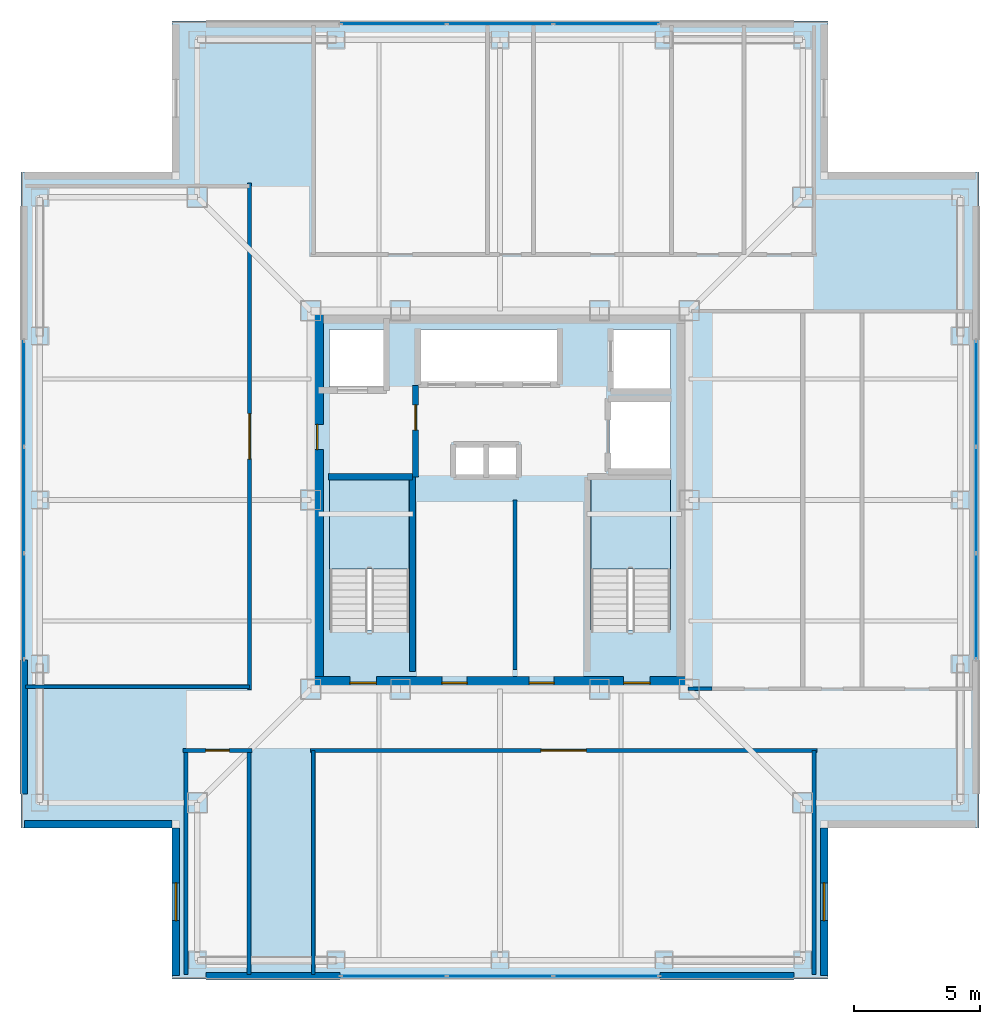
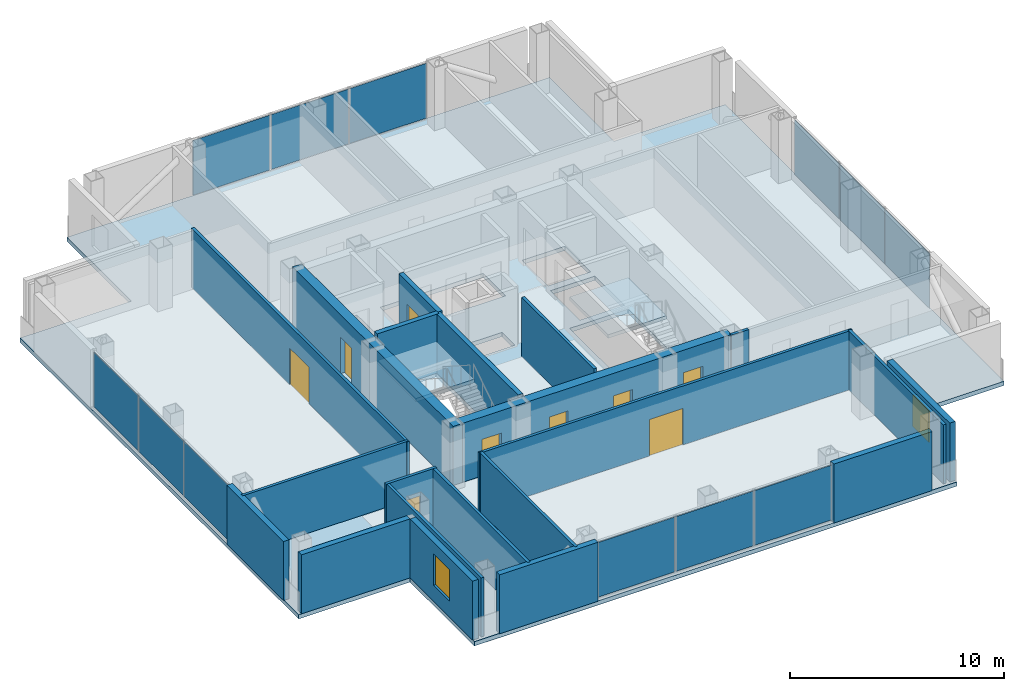
# One storey, part 8 of 16: 21 walls, 12 plates, 9 doors, 3 slabs, 2 windows, 11 openings, 6 elements without a shape of their own.
"""IFC4 building model written with IfcOpenShell, lengths in metres."""

from ifc_helpers import new_model, si_unit, direction, frame, frame_2d, origin, origin_2d, place, context, subcontext, project, spatial, polyline, rectangle, outline, extrude, material, layer, layer_set, type_object, element, fill, aggregate, save


model = new_model("IFC4")

# Units and contexts
model_context = context("Model", 3, precision=1e-05, world=origin(), true_north=direction((0.0, 1.0)))
body_context = subcontext(model_context, "Body", "Model", "MODEL_VIEW")
ifc_project = project(units=[si_unit("LENGTHUNIT", "METRE"), si_unit("AREAUNIT", "SQUARE_METRE"), si_unit("VOLUMEUNIT", "CUBIC_METRE"), si_unit("PLANEANGLEUNIT", "RADIAN"), si_unit("MASSUNIT", "GRAM", prefix="KILO")], contexts=[model_context])

# Site, building, storey
site_placement = place(None, origin())
site = spatial("IfcSite", under=ifc_project, at=site_placement, CompositionType="ELEMENT")
building_placement = place(site_placement, origin())
building = spatial("IfcBuilding", under=site, at=building_placement, Name="Trevonay Congress Spire", CompositionType="ELEMENT")
storey_placement = place(building_placement, frame((0.0, 0.0, 246.800048828125)))
storey = spatial("IfcBuildingStorey", under=building, at=storey_placement, Name="L64", CompositionType="ELEMENT", Elevation=246.800048828125)

# Curtain wall, plates
ifc_material_1 = material(Name="Pale Anodised Aluminium EN AW-6063-T6", Category="aluminium")
ifc_layer_1 = layer(ifc_material_1, 0.1650390625, Name="Pale Anodised Aluminium EN AW-6063-T6")
ifc_layer_set_1 = layer_set([ifc_layer_1], Name="Pale Anodised Aluminium EN AW-6063-T6")
curtain_wall_type = type_object("IfcCurtainWallType", Name="CW-SYS05-DIPLOM-PALE-METAL", PredefinedType="NOTDEFINED", material=ifc_layer_set_1)
curtain_wall_1_placement = place(storey_placement, origin())
curtain_wall_1 = element("IfcCurtainWall", 1, at=curtain_wall_1_placement, inside=storey, type_object=curtain_wall_type, Name="L64 S unitised curtain wall", PredefinedType="NOTDEFINED")
ifc_material_2 = material(Name="Insulated Low-E Vision Glass IGU", Category="glass")
ifc_layer_2 = layer(ifc_material_2, 0.035888671875, Name="Insulated Low-E Vision Glass IGU")
ifc_layer_set_2 = layer_set([ifc_layer_2], Name="Insulated Low-E Vision Glass IGU")
plate_type = type_object("IfcPlateType", Name="CW-PANEL-IGU36-SILVER", PredefinedType="CURTAIN_PANEL", material=ifc_layer_set_2)
plate_1_placement = place(storey_placement, frame((-4.21826171875, -18.8798828125, 0.119873046875), z_axis=(0.0, 0.0, 1.0), x_axis=(1.0, 0.0, 0.0)))
plate_1 = element("IfcPlate", 2, at=plate_1_placement, type_object=plate_type, Name="CW05 panel 1.1", PredefinedType="CURTAIN_PANEL", context=body_context, shape_type="SweptSolid", body=[
    extrude(rectangle(XDim=4.143310546875, YDim=0.035888671875, at=origin_2d()), origin(), (0.0, 0.0, 1.0), 3.1201171875),
])
plate_2_placement = place(storey_placement, frame((0.0, -18.8798828125, 0.119873046875), z_axis=(0.0, 0.0, 1.0), x_axis=(1.0, 0.0, 0.0)))
plate_2 = element("IfcPlate", 3, at=plate_2_placement, type_object=plate_type, Name="CW05 panel 2.1", PredefinedType="CURTAIN_PANEL", context=body_context, shape_type="SweptSolid", body=[
    extrude(rectangle(XDim=4.17333984375, YDim=0.035888671875, at=origin_2d()), origin(), (0.0, 0.0, 1.0), 3.1201171875),
])
plate_3_placement = place(storey_placement, frame((4.21826171875, -18.8798828125, 0.119873046875), z_axis=(0.0, 0.0, 1.0), x_axis=(1.0, 0.0, 0.0)))
plate_3 = element("IfcPlate", 4, at=plate_3_placement, type_object=plate_type, Name="CW05 panel 3.1", PredefinedType="CURTAIN_PANEL", context=body_context, shape_type="SweptSolid", body=[
    extrude(rectangle(XDim=4.143310546875, YDim=0.035888671875, at=origin_2d()), origin(), (0.0, 0.0, 1.0), 3.1201171875),
])
aggregate(curtain_wall_1, [plate_1, plate_2, plate_3])

curtain_wall_2_placement = place(storey_placement, origin())
curtain_wall_2 = element("IfcCurtainWall", 5, at=curtain_wall_2_placement, inside=storey, type_object=curtain_wall_type, Name="L64 N unitised curtain wall", PredefinedType="NOTDEFINED")
plate_4_placement = place(storey_placement, frame((-4.21826171875, 18.8798828125, 0.119873046875), z_axis=(0.0, 0.0, 1.0), x_axis=(1.0, 0.0, 0.0)))
plate_4 = element("IfcPlate", 6, at=plate_4_placement, type_object=plate_type, Name="CW05 panel 1.1", PredefinedType="CURTAIN_PANEL", context=body_context, shape_type="SweptSolid", body=[
    extrude(rectangle(XDim=4.143310546875, YDim=0.035888671875, at=origin_2d()), origin(), (0.0, 0.0, 1.0), 3.1201171875),
])
plate_5_placement = place(storey_placement, frame((0.0, 18.8798828125, 0.119873046875), z_axis=(0.0, 0.0, 1.0), x_axis=(1.0, 0.0, 0.0)))
plate_5 = element("IfcPlate", 7, at=plate_5_placement, type_object=plate_type, Name="CW05 panel 2.1", PredefinedType="CURTAIN_PANEL", context=body_context, shape_type="SweptSolid", body=[
    extrude(rectangle(XDim=4.17333984375, YDim=0.035888671875, at=origin_2d()), origin(), (0.0, 0.0, 1.0), 3.1201171875),
])
plate_6_placement = place(storey_placement, frame((4.21826171875, 18.8798828125, 0.119873046875), z_axis=(0.0, 0.0, 1.0), x_axis=(1.0, 0.0, 0.0)))
plate_6 = element("IfcPlate", 8, at=plate_6_placement, type_object=plate_type, Name="CW05 panel 3.1", PredefinedType="CURTAIN_PANEL", context=body_context, shape_type="SweptSolid", body=[
    extrude(rectangle(XDim=4.143310546875, YDim=0.035888671875, at=origin_2d()), origin(), (0.0, 0.0, 1.0), 3.1201171875),
])
aggregate(curtain_wall_2, [plate_4, plate_5, plate_6])

curtain_wall_3_placement = place(storey_placement, origin())
curtain_wall_3 = element("IfcCurtainWall", 9, at=curtain_wall_3_placement, inside=storey, type_object=curtain_wall_type, Name="L64 W unitised curtain wall", PredefinedType="NOTDEFINED")
plate_7_placement = place(storey_placement, frame((-18.8798828125, -4.21826171875, 0.119873046875), z_axis=(0.0, 0.0, 1.0), x_axis=(0.0, 1.0, 0.0)))
plate_7 = element("IfcPlate", 10, at=plate_7_placement, type_object=plate_type, Name="CW05 panel 1.1", PredefinedType="CURTAIN_PANEL", context=body_context, shape_type="SweptSolid", body=[
    extrude(rectangle(XDim=4.143310546875, YDim=0.035888671875, at=origin_2d()), origin(), (0.0, 0.0, 1.0), 3.1201171875),
])
plate_8_placement = place(storey_placement, frame((-18.8798828125, 0.0, 0.119873046875), z_axis=(0.0, 0.0, 1.0), x_axis=(0.0, 1.0, 0.0)))
plate_8 = element("IfcPlate", 11, at=plate_8_placement, type_object=plate_type, Name="CW05 panel 2.1", PredefinedType="CURTAIN_PANEL", context=body_context, shape_type="SweptSolid", body=[
    extrude(rectangle(XDim=4.17333984375, YDim=0.035888671875, at=origin_2d()), origin(), (0.0, 0.0, 1.0), 3.1201171875),
])
plate_9_placement = place(storey_placement, frame((-18.8798828125, 4.21826171875, 0.119873046875), z_axis=(0.0, 0.0, 1.0), x_axis=(0.0, 1.0, 0.0)))
plate_9 = element("IfcPlate", 12, at=plate_9_placement, type_object=plate_type, Name="CW05 panel 3.1", PredefinedType="CURTAIN_PANEL", context=body_context, shape_type="SweptSolid", body=[
    extrude(rectangle(XDim=4.143310546875, YDim=0.035888671875, at=origin_2d()), origin(), (0.0, 0.0, 1.0), 3.1201171875),
])
aggregate(curtain_wall_3, [plate_7, plate_8, plate_9])

curtain_wall_4_placement = place(storey_placement, origin())
curtain_wall_4 = element("IfcCurtainWall", 13, at=curtain_wall_4_placement, inside=storey, type_object=curtain_wall_type, Name="L64 E unitised curtain wall", PredefinedType="NOTDEFINED")
plate_10_placement = place(storey_placement, frame((18.8798828125, -4.21826171875, 0.119873046875), z_axis=(0.0, 0.0, 1.0), x_axis=(0.0, 1.0, 0.0)))
plate_10 = element("IfcPlate", 14, at=plate_10_placement, type_object=plate_type, Name="CW05 panel 1.1", PredefinedType="CURTAIN_PANEL", context=body_context, shape_type="SweptSolid", body=[
    extrude(rectangle(XDim=4.143310546875, YDim=0.035888671875, at=origin_2d()), origin(), (0.0, 0.0, 1.0), 3.1201171875),
])
plate_11_placement = place(storey_placement, frame((18.8798828125, 0.0, 0.119873046875), z_axis=(0.0, 0.0, 1.0), x_axis=(0.0, 1.0, 0.0)))
plate_11 = element("IfcPlate", 15, at=plate_11_placement, type_object=plate_type, Name="CW05 panel 2.1", PredefinedType="CURTAIN_PANEL", context=body_context, shape_type="SweptSolid", body=[
    extrude(rectangle(XDim=4.17333984375, YDim=0.035888671875, at=origin_2d()), origin(), (0.0, 0.0, 1.0), 3.1201171875),
])
plate_12_placement = place(storey_placement, frame((18.8798828125, 4.21826171875, 0.119873046875), z_axis=(0.0, 0.0, 1.0), x_axis=(0.0, 1.0, 0.0)))
plate_12 = element("IfcPlate", 16, at=plate_12_placement, type_object=plate_type, Name="CW05 panel 3.1", PredefinedType="CURTAIN_PANEL", context=body_context, shape_type="SweptSolid", body=[
    extrude(rectangle(XDim=4.143310546875, YDim=0.035888671875, at=origin_2d()), origin(), (0.0, 0.0, 1.0), 3.1201171875),
])
aggregate(curtain_wall_4, [plate_10, plate_11, plate_12])

# Stair, slab
ifc_material_3 = material(Name="Concrete C40/50", Category="concrete")
stair_type_1 = type_object("IfcStairType", Name="STR-ST-1", PredefinedType="HALF_TURN_STAIR", material=ifc_material_3)
stair_1_placement = place(storey_placement, origin())
stair_1 = element("IfcStair", 17, at=stair_1_placement, inside=storey, type_object=stair_type_1, Name="L64 Protected Exit Stair ST-1", PredefinedType="HALF_TURN_STAIR")
ifc_layer_3 = layer(ifc_material_3, 0.199951171875, Name="Concrete C40/50")
ifc_layer_set_3 = layer_set([ifc_layer_3], Name="Concrete C40/50")
slab_type_1 = type_object("IfcSlabType", Name="SLB-STAIR-LAND-200", PredefinedType="LANDING", material=ifc_layer_set_3)
slab_1_placement = place(storey_placement, frame((0.0, 0.0, 1.599853515625)))
slab_1 = element("IfcSlab", 18, at=slab_1_placement, type_object=slab_type_1, Name="ST-1 landing 1", PredefinedType="LANDING", context=body_context, shape_type="SweptSolid", body=[
    extrude(outline(polyline([(-3.60009765625, -2.72998046875), (-3.60009765625, 0.85009765625), (-6.75, 0.85009765625), (-6.75, -2.72998046875), (-3.60009765625, -2.72998046875)])), origin(), (0.0, 0.0, 1.0), 0.2001953125),
])
aggregate(stair_1, [slab_1])

stair_type_2 = type_object("IfcStairType", Name="STR-ST-2", PredefinedType="HALF_TURN_STAIR", material=ifc_material_3)
stair_2_placement = place(storey_placement, origin())
stair_2 = element("IfcStair", 19, at=stair_2_placement, inside=storey, type_object=stair_type_2, Name="L64 Protected Exit Stair ST-2", PredefinedType="HALF_TURN_STAIR")
slab_2_placement = place(storey_placement, frame((0.0, 0.0, 1.599853515625)))
slab_2 = element("IfcSlab", 20, at=slab_2_placement, type_object=slab_type_1, Name="ST-2 landing 1", PredefinedType="LANDING", context=body_context, shape_type="SweptSolid", body=[
    extrude(outline(polyline([(6.75, -2.72998046875), (6.75, 0.85009765625), (3.60009765625, 0.85009765625), (3.60009765625, -2.72998046875), (6.75, -2.72998046875)])), origin(), (0.0, 0.0, 1.0), 0.2001953125),
])
aggregate(stair_2, [slab_2])

# Slab
ifc_layer_4 = layer(ifc_material_3, 0.239990234375, Name="Concrete C40/50")
ifc_layer_set_4 = layer_set([ifc_layer_4], Name="Concrete C40/50")
slab_type_2 = type_object("IfcSlabType", Name="SLB-TOW2-240", PredefinedType="FLOOR", material=ifc_layer_set_4)
slab_3_placement = place(storey_placement, frame((0.0, 0.0, -0.239990234375)))
element("IfcSlab", 21, at=slab_3_placement, inside=storey, type_object=slab_type_2, Name="L64 structural floor slab", PredefinedType="FLOOR", context=body_context, shape_type="SweptSolid", body=[
    extrude(outline(polyline([(-13.0, -19.0), (13.0, -19.0), (13.0, -13.0), (19.0, -13.0), (19.0, 13.0), (13.0, 13.0), (13.0, 19.0), (-13.0, 19.0), (-13.0, 13.0), (-19.0, 13.0), (-19.0, -13.0), (-13.0, -13.0), (-13.0, -19.0)]), holes=[polyline([(-3.60009765625, -5.14990234375), (-3.60009765625, 0.85009765625), (-6.75, 0.85009765625), (-6.75, -5.14990234375), (-3.60009765625, -5.14990234375)]), polyline([(6.75, -5.14990234375), (6.75, 0.85009765625), (3.60009765625, 0.85009765625), (3.60009765625, -5.14990234375), (6.75, -5.14990234375)]), polyline([(-3.199951171875, 4.64990234375), (2.340087890625, 4.64990234375), (2.340087890625, 6.75), (-3.199951171875, 6.75), (-3.199951171875, 4.64990234375)]), polyline([(-6.75, 4.35009765625), (-4.449951171875, 4.35009765625), (-4.449951171875, 6.75), (-6.75, 6.75), (-6.75, 4.35009765625)]), polyline([(4.449951171875, 4.35009765625), (6.75, 4.35009765625), (6.75, 6.75), (4.449951171875, 6.75), (4.449951171875, 4.35009765625)]), polyline([(4.35009765625, 1.199951171875), (6.75, 1.199951171875), (6.75, 3.949951171875), (4.35009765625, 3.949951171875), (4.35009765625, 1.199951171875)]), polyline([(-1.800048828125, 0.949951171875), (0.699951171875, 0.949951171875), (0.699951171875, 2.14990234375), (-1.800048828125, 2.14990234375), (-1.800048828125, 0.949951171875)])]), origin(), (0.0, 0.0, 1.0), 0.239990234375),
])

# Wall, openings, doors
ifc_material_4 = material(Name="Concrete C50/60", Category="concrete")
ifc_layer_5 = layer(ifc_material_4, 0.5, Name="Concrete C50/60")
ifc_layer_set_5 = layer_set([ifc_layer_5], Name="Concrete C50/60")
wall_type_1 = type_object("IfcWallType", Name="WAL-CORE-500", PredefinedType="SHEAR", material=ifc_layer_set_5)
wall_1_placement = place(storey_placement, frame((-7.5, -7.25, 0.0), z_axis=(0.0, 0.0, 1.0), x_axis=(1.0, 0.0, 0.0)))
wall_1 = element("IfcWall", 22, at=wall_1_placement, inside=storey, type_object=wall_type_1, Name="L64 South structural core shear wall", PredefinedType="SHEAR", context=body_context, shape_type="SweptSolid", body=[
    extrude(rectangle(XDim=15.0, YDim=0.5, at=frame_2d((7.5, 0.0))), origin(), (0.0, 0.0, 1.0), 3.35986328125),
])
opening_1_placement = place(wall_1_placement, frame((1.550048828125, 0.0, 0.0)))
opening_1 = element("IfcOpeningElement", 23, at=opening_1_placement, cuts=wall_1, Name="Opening D05", PredefinedType="OPENING", context=body_context, shape_type="SweptSolid", body=[
    extrude(rectangle(XDim=1.050048828125, YDim=2.080078125, at=frame_2d((0.52490234375, 1.0400390625))), frame((0.0, 0.260009765625, 0.0), z_axis=(0.0, -1.0, 0.0), x_axis=(1.0, 0.0, 0.0)), (0.0, 0.0, 1.0), 0.52001953125),
])
opening_2_placement = place(wall_1_placement, frame((12.39990234375, 0.0, 0.0)))
opening_2 = element("IfcOpeningElement", 24, at=opening_2_placement, cuts=wall_1, Name="Opening D05", PredefinedType="OPENING", context=body_context, shape_type="SweptSolid", body=[
    extrude(rectangle(XDim=1.050048828125, YDim=2.080078125, at=frame_2d((0.52490234375, 1.0400390625))), frame((0.0, 0.260009765625, 0.0), z_axis=(0.0, -1.0, 0.0), x_axis=(1.0, 0.0, 0.0)), (0.0, 0.0, 1.0), 0.52001953125),
])
opening_3_placement = place(wall_1_placement, frame((5.199951171875, 0.0, 0.0)))
opening_3 = element("IfcOpeningElement", 25, at=opening_3_placement, cuts=wall_1, Name="Opening D06", PredefinedType="OPENING", context=body_context, shape_type="SweptSolid", body=[
    extrude(rectangle(XDim=1.0, YDim=2.080078125, at=frame_2d((0.5, 1.0400390625))), frame((0.0, 0.260009765625, 0.0), z_axis=(0.0, -1.0, 0.0), x_axis=(1.0, 0.0, 0.0)), (0.0, 0.0, 1.0), 0.52001953125),
])
opening_4_placement = place(wall_1_placement, frame((8.64990234375, 0.0, 0.0)))
opening_4 = element("IfcOpeningElement", 26, at=opening_4_placement, cuts=wall_1, Name="Opening D06", PredefinedType="OPENING", context=body_context, shape_type="SweptSolid", body=[
    extrude(rectangle(XDim=1.0, YDim=2.080078125, at=frame_2d((0.5, 1.0400390625))), frame((0.0, 0.260009765625, 0.0), z_axis=(0.0, -1.0, 0.0), x_axis=(1.0, 0.0, 0.0)), (0.0, 0.0, 1.0), 0.52001953125),
])
ifc_material_5 = material(Name="Steel ASTM A572 Grade 50", Category="steel")
door_type_1 = type_object("IfcDoorType", Name="DOR-FIRE-100", OperationType="NOTDEFINED", PredefinedType="DOOR", material=ifc_material_5)
door_1_placement = place(opening_3_placement, origin())
door_1 = element("IfcDoor", 27, at=door_1_placement, inside=storey, type_object=door_type_1, Name="L64 South Core Room 1 Door", OperationType="SINGLE_SWING_LEFT", OverallHeight=2.080078125, OverallWidth=1.0, PredefinedType="DOOR", context=body_context, shape_type="SweptSolid", body=[
    extrude(rectangle(XDim=1.0, YDim=2.080078125, at=frame_2d((0.5, 1.0400390625))), frame((0.0, 0.02490234375, 0.0), z_axis=(0.0, -1.0, 0.0), x_axis=(1.0, 0.0, 0.0)), (0.0, 0.0, 1.0), 0.050048828125),
])
fill(opening_3, door_1)
door_2_placement = place(opening_4_placement, origin())
door_2 = element("IfcDoor", 28, at=door_2_placement, inside=storey, type_object=door_type_1, Name="L64 South Core Room 2 Door", OperationType="SINGLE_SWING_RIGHT", OverallHeight=2.080078125, OverallWidth=1.0, PredefinedType="DOOR", context=body_context, shape_type="SweptSolid", body=[
    extrude(rectangle(XDim=1.0, YDim=2.080078125, at=frame_2d((0.5, 1.0400390625))), frame((0.0, 0.02490234375, 0.0), z_axis=(0.0, -1.0, 0.0), x_axis=(1.0, 0.0, 0.0)), (0.0, 0.0, 1.0), 0.050048828125),
])
fill(opening_4, door_2)
door_type_2 = type_object("IfcDoorType", Name="DOR-STAIR-110", OperationType="NOTDEFINED", PredefinedType="DOOR", material=ifc_material_5)
door_3_placement = place(opening_1_placement, origin())
door_3 = element("IfcDoor", 29, at=door_3_placement, inside=storey, type_object=door_type_2, Name="L64 Protected Stair ST-1 Door", OperationType="SINGLE_SWING_RIGHT", OverallHeight=2.080078125, OverallWidth=1.050048828125, PredefinedType="DOOR", context=body_context, shape_type="SweptSolid", body=[
    extrude(rectangle(XDim=1.050048828125, YDim=2.080078125, at=frame_2d((0.52490234375, 1.0400390625))), frame((0.0, 0.02490234375, 0.0), z_axis=(0.0, -1.0, 0.0), x_axis=(1.0, 0.0, 0.0)), (0.0, 0.0, 1.0), 0.050048828125),
])
fill(opening_1, door_3)
door_4_placement = place(opening_2_placement, origin())
door_4 = element("IfcDoor", 30, at=door_4_placement, inside=storey, type_object=door_type_2, Name="L64 Protected Stair ST-2 Door", OperationType="SINGLE_SWING_LEFT", OverallHeight=2.080078125, OverallWidth=1.050048828125, PredefinedType="DOOR", context=body_context, shape_type="SweptSolid", body=[
    extrude(rectangle(XDim=1.050048828125, YDim=2.080078125, at=frame_2d((0.52490234375, 1.0400390625))), frame((0.0, 0.02490234375, 0.0), z_axis=(0.0, -1.0, 0.0), x_axis=(1.0, 0.0, 0.0)), (0.0, 0.0, 1.0), 0.050048828125),
])
fill(opening_2, door_4)

# Wall, opening, door
wall_2_placement = place(storey_placement, frame((-7.25, -7.5, 0.0), z_axis=(0.0, 0.0, 1.0), x_axis=(0.0, 1.0, 0.0)))
wall_2 = element("IfcWall", 31, at=wall_2_placement, inside=storey, type_object=wall_type_1, Name="L64 West structural core shear wall", PredefinedType="SHEAR", context=body_context, shape_type="SweptSolid", body=[
    extrude(rectangle(XDim=15.0, YDim=0.5, at=frame_2d((7.5, 0.0))), origin(), (0.0, 0.0, 1.0), 3.35986328125),
])
opening_5_placement = place(wall_2_placement, frame((9.5, 0.0, 0.0)))
opening_5 = element("IfcOpeningElement", 32, at=opening_5_placement, cuts=wall_2, Name="Opening D06", PredefinedType="OPENING", context=body_context, shape_type="SweptSolid", body=[
    extrude(rectangle(XDim=1.0, YDim=2.080078125, at=frame_2d((0.5, 1.0400390625))), frame((0.0, 0.260009765625, 0.0), z_axis=(0.0, -1.0, 0.0), x_axis=(1.0, 0.0, 0.0)), (0.0, 0.0, 1.0), 0.52001953125),
])
door_5_placement = place(opening_5_placement, origin())
door_5 = element("IfcDoor", 33, at=door_5_placement, inside=storey, type_object=door_type_1, Name="L64 Firefighting Lift Lobby West Corridor Door", OperationType="SINGLE_SWING_RIGHT", OverallHeight=2.080078125, OverallWidth=1.0, PredefinedType="DOOR", context=body_context, shape_type="SweptSolid", body=[
    extrude(rectangle(XDim=1.0, YDim=2.080078125, at=frame_2d((0.5, 1.0400390625))), frame((0.0, 0.02490234375, 0.0), z_axis=(0.0, -1.0, 0.0), x_axis=(1.0, 0.0, 0.0)), (0.0, 0.0, 1.0), 0.050048828125),
])
fill(opening_5, door_5)

ifc_layer_6 = layer(ifc_material_3, 0.14990234375, Name="Concrete C40/50")
ifc_layer_set_6 = layer_set([ifc_layer_6], Name="Concrete C40/50")
wall_type_2 = type_object("IfcWallType", Name="WAL-CORR-150", PredefinedType="PARTITIONING", material=ifc_layer_set_6)
wall_3_placement = place(storey_placement, frame((-12.570068359375, -9.929931640625, 0.0), z_axis=(0.0, 0.0, 1.0), x_axis=(1.0, 0.0, 0.0)))
wall_3 = element("IfcWall", 34, at=wall_3_placement, inside=storey, type_object=wall_type_2, Name="L64 interior wall WP-L64SW-COR", PredefinedType="PARTITIONING", context=body_context, shape_type="SweptSolid", body=[
    extrude(rectangle(XDim=2.739990234375, YDim=0.14990234375, at=frame_2d((1.3701171875, 0.0))), origin(), (0.0, 0.0, 1.0), 3.35986328125),
])
opening_6_placement = place(wall_3_placement, frame((0.89501953125, 0.0, 0.0)))
opening_6 = element("IfcOpeningElement", 35, at=opening_6_placement, cuts=wall_3, Name="Opening D07", PredefinedType="OPENING", context=body_context, shape_type="SweptSolid", body=[
    extrude(rectangle(XDim=0.949951171875, YDim=2.06005859375, at=frame_2d((0.47509765625, 1.030029296875))), frame((0.0, 0.0849609375, 0.0), z_axis=(0.0, -1.0, 0.0), x_axis=(1.0, 0.0, 0.0)), (0.0, 0.0, 1.0), 0.169921875),
])
door_type_3 = type_object("IfcDoorType", Name="DOR-OFFICE-95", OperationType="NOTDEFINED", PredefinedType="DOOR", material=ifc_material_1)
door_6_placement = place(opening_6_placement, origin())
door_6 = element("IfcDoor", 36, at=door_6_placement, inside=storey, type_object=door_type_3, Name="L64 Secretary-General Green Room Door", OperationType="SINGLE_SWING_RIGHT", OverallHeight=2.06005859375, OverallWidth=0.949951171875, PredefinedType="DOOR", context=body_context, shape_type="SweptSolid", body=[
    extrude(rectangle(XDim=0.949951171875, YDim=2.06005859375, at=frame_2d((0.47509765625, 1.030029296875))), frame((0.0, 0.02490234375, 0.0), z_axis=(0.0, -1.0, 0.0), x_axis=(1.0, 0.0, 0.0)), (0.0, 0.0, 1.0), 0.050048828125),
])
fill(opening_6, door_6)

wall_4_placement = place(storey_placement, frame((-7.52001953125, -9.929931640625, 0.0), z_axis=(0.0, 0.0, 1.0), x_axis=(1.0, 0.0, 0.0)))
wall_4 = element("IfcWall", 37, at=wall_4_placement, inside=storey, type_object=wall_type_2, Name="L64 interior wall WP-L64SE-COR", PredefinedType="PARTITIONING", context=body_context, shape_type="SweptSolid", body=[
    extrude(rectangle(XDim=20.090087890625, YDim=0.14990234375, at=frame_2d((10.044921875, 0.0))), origin(), (0.0, 0.0, 1.0), 3.35986328125),
])
opening_7_placement = place(wall_4_placement, frame((9.14501953125, 0.0, 0.0)))
opening_7 = element("IfcOpeningElement", 38, at=opening_7_placement, cuts=wall_4, Name="Opening D09", PredefinedType="OPENING", context=body_context, shape_type="SweptSolid", body=[
    extrude(rectangle(XDim=1.800048828125, YDim=2.080078125, at=frame_2d((0.89990234375, 1.0400390625))), frame((0.0, 0.0849609375, 0.0), z_axis=(0.0, -1.0, 0.0), x_axis=(1.0, 0.0, 0.0)), (0.0, 0.0, 1.0), 0.169921875),
])
door_type_4 = type_object("IfcDoorType", Name="DOR-CONF-DBL", OperationType="DOUBLE_DOOR_SINGLE_SWING", PredefinedType="DOOR", material=ifc_material_1)
door_7_placement = place(opening_7_placement, origin())
door_7 = element("IfcDoor", 39, at=door_7_placement, inside=storey, type_object=door_type_4, Name="L64 South Atlantic Multilateral Summit Chamber Door", OperationType="DOUBLE_DOOR_SINGLE_SWING", OverallHeight=2.080078125, OverallWidth=1.800048828125, PredefinedType="DOOR", context=body_context, shape_type="SweptSolid", body=[
    extrude(rectangle(XDim=1.800048828125, YDim=2.080078125, at=frame_2d((0.89990234375, 1.0400390625))), frame((0.0, 0.02490234375, 0.0), z_axis=(0.0, -1.0, 0.0), x_axis=(1.0, 0.0, 0.0)), (0.0, 0.0, 1.0), 0.050048828125),
])
fill(opening_7, door_7)

wall_5_placement = place(storey_placement, frame((-9.929931640625, -7.52001953125, 0.0), z_axis=(0.0, 0.0, 1.0), x_axis=(0.0, 1.0, 0.0)))
wall_5 = element("IfcWall", 40, at=wall_5_placement, inside=storey, type_object=wall_type_2, Name="L64 interior wall WP-L64NW-COR", PredefinedType="PARTITIONING", context=body_context, shape_type="SweptSolid", body=[
    extrude(rectangle(XDim=20.090087890625, YDim=0.14990234375, at=frame_2d((10.044921875, 0.0))), origin(), (0.0, 0.0, 1.0), 3.35986328125),
])
opening_8_placement = place(wall_5_placement, frame((9.14501953125, 0.0, 0.0)))
opening_8 = element("IfcOpeningElement", 41, at=opening_8_placement, cuts=wall_5, Name="Opening D09", PredefinedType="OPENING", context=body_context, shape_type="SweptSolid", body=[
    extrude(rectangle(XDim=1.800048828125, YDim=2.080078125, at=frame_2d((0.89990234375, 1.0400390625))), frame((0.0, 0.0849609375, 0.0), z_axis=(0.0, -1.0, 0.0), x_axis=(1.0, 0.0, 0.0)), (0.0, 0.0, 1.0), 0.169921875),
])
door_8_placement = place(opening_8_placement, origin())
door_8 = element("IfcDoor", 42, at=door_8_placement, inside=storey, type_object=door_type_4, Name="L64 Mercosur Ministerial Council Chamber Door", OperationType="DOUBLE_DOOR_SINGLE_SWING", OverallHeight=2.080078125, OverallWidth=1.800048828125, PredefinedType="DOOR", context=body_context, shape_type="SweptSolid", body=[
    extrude(rectangle(XDim=1.800048828125, YDim=2.080078125, at=frame_2d((0.89990234375, 1.0400390625))), frame((0.0, 0.02490234375, 0.0), z_axis=(0.0, -1.0, 0.0), x_axis=(1.0, 0.0, 0.0)), (0.0, 0.0, 1.0), 0.050048828125),
])
fill(opening_8, door_8)

# Walls
wall_6_placement = place(storey_placement, frame((7.449951171875, -7.47998046875, 0.0), z_axis=(0.0, 0.0, 1.0), x_axis=(1.0, 0.0, 0.0)))
element("IfcWall", 43, at=wall_6_placement, inside=storey, type_object=wall_type_2, Name="L64 interior wall WP-L64E-STUB", PredefinedType="PARTITIONING", context=body_context, shape_type="SweptSolid", body=[
    extrude(rectangle(XDim=0.949951171875, YDim=0.14990234375, at=frame_2d((0.47509765625, 0.0))), origin(), (0.0, 0.0, 1.0), 3.35986328125),
])
ifc_material_6 = material(Name="Precast concrete C40/50", Category="concrete")
ifc_layer_7 = layer(ifc_material_6, 0.300048828125, Name="Precast concrete C40/50")
ifc_layer_set_7 = layer_set([ifc_layer_7], Name="Precast concrete C40/50")
wall_type_3 = type_object("IfcWallType", Name="WAL-EXT-PRECAST-300", PredefinedType="SOLIDWALL", material=ifc_layer_set_7)
for number, where, z_axis, x_axis, name in (
    (44, (-11.64990234375, -18.8798828125, 0.0), (0.0, 0.0, 1.0), (1.0, 0.0, 0.0), "L64 SL braced-bay exterior pier wall"),
    (45, (6.35009765625, -18.8798828125, 0.0), (0.0, 0.0, 1.0), (1.0, 0.0, 0.0), "L64 SR braced-bay exterior pier wall"),
    (46, (-18.8798828125, -11.64990234375, 0.0), (0.0, 0.0, 1.0), (0.0, 1.0, 0.0), "L64 WL braced-bay exterior pier wall"),
):
    element("IfcWall", number, at=place(storey_placement, frame(where, z_axis=z_axis, x_axis=x_axis)), inside=storey, type_object=wall_type_3, Name=name, PredefinedType="SOLIDWALL", context=body_context, shape_type="SweptSolid", body=[
        extrude(rectangle(XDim=5.2998046875, YDim=0.300048828125, at=frame_2d((2.64990234375, 0.0))), origin(), (0.0, 0.0, 1.0), 3.35986328125),
    ])

# Wall, opening, window
wall_7_placement = place(storey_placement, frame((-12.85009765625, -18.85009765625, 0.0), z_axis=(0.0, 0.0, 1.0), x_axis=(0.0, 1.0, 0.0)))
wall_7 = element("IfcWall", 47, at=wall_7_placement, inside=storey, type_object=wall_type_3, Name="L64 SW re-entrant notch exterior wall 1", PredefinedType="SOLIDWALL", context=body_context, shape_type="SweptSolid", body=[
    extrude(rectangle(XDim=5.85009765625, YDim=0.300048828125, at=frame_2d((2.925048828125, 0.0))), origin(), (0.0, 0.0, 1.0), 3.35986328125),
])
opening_9_placement = place(wall_7_placement, frame((2.175048828125, 0.0, 0.89990234375)))
opening_9 = element("IfcOpeningElement", 48, at=opening_9_placement, cuts=wall_7, Name="Opening WN03", PredefinedType="OPENING", context=body_context, shape_type="SweptSolid", body=[
    extrude(rectangle(XDim=1.5, YDim=1.800048828125, at=frame_2d((0.75, 0.89990234375))), frame((0.0, 0.16015625, 0.0), z_axis=(0.0, -1.0, 0.0), x_axis=(1.0, 0.0, 0.0)), (0.0, 0.0, 1.0), 0.320068359375),
])
window_type = type_object("IfcWindowType", Name="WIN-NOTCH-150X180", PartitioningType="SINGLE_PANEL", PredefinedType="WINDOW", material=ifc_material_2)
window_1_placement = place(opening_9_placement, origin())
window_1 = element("IfcWindow", 49, at=window_1_placement, inside=storey, type_object=window_type, Name="L64 SW corner notch window", OverallHeight=1.800048828125, OverallWidth=1.5, PartitioningType="SINGLE_PANEL", PredefinedType="WINDOW", context=body_context, shape_type="SweptSolid", body=[
    extrude(rectangle(XDim=1.5, YDim=1.800048828125, at=frame_2d((0.75, 0.89990234375))), frame((0.0, 0.030029296875, 0.0), z_axis=(0.0, -1.0, 0.0), x_axis=(1.0, 0.0, 0.0)), (0.0, 0.0, 1.0), 0.06005859375),
])
fill(opening_9, window_1)

# Wall
wall_8_placement = place(storey_placement, frame((-18.85009765625, -12.85009765625, 0.0), z_axis=(0.0, 0.0, 1.0), x_axis=(1.0, 0.0, 0.0)))
element("IfcWall", 50, at=wall_8_placement, inside=storey, type_object=wall_type_3, Name="L64 SW re-entrant notch exterior wall 2", PredefinedType="SOLIDWALL", context=body_context, shape_type="SweptSolid", body=[
    extrude(rectangle(XDim=5.85009765625, YDim=0.300048828125, at=frame_2d((2.925048828125, 0.0))), origin(), (0.0, 0.0, 1.0), 3.35986328125),
])

# Wall, opening, window
wall_9_placement = place(storey_placement, frame((12.85009765625, -18.85009765625, 0.0), z_axis=(0.0, 0.0, 1.0), x_axis=(0.0, 1.0, 0.0)))
wall_9 = element("IfcWall", 51, at=wall_9_placement, inside=storey, type_object=wall_type_3, Name="L64 SE re-entrant notch exterior wall 1", PredefinedType="SOLIDWALL", context=body_context, shape_type="SweptSolid", body=[
    extrude(rectangle(XDim=5.85009765625, YDim=0.300048828125, at=frame_2d((2.925048828125, 0.0))), origin(), (0.0, 0.0, 1.0), 3.35986328125),
])
opening_10_placement = place(wall_9_placement, frame((2.175048828125, 0.0, 0.89990234375)))
opening_10 = element("IfcOpeningElement", 52, at=opening_10_placement, cuts=wall_9, Name="Opening WN03", PredefinedType="OPENING", context=body_context, shape_type="SweptSolid", body=[
    extrude(rectangle(XDim=1.5, YDim=1.800048828125, at=frame_2d((0.75, 0.89990234375))), frame((0.0, 0.16015625, 0.0), z_axis=(0.0, -1.0, 0.0), x_axis=(1.0, 0.0, 0.0)), (0.0, 0.0, 1.0), 0.320068359375),
])
window_2_placement = place(opening_10_placement, origin())
window_2 = element("IfcWindow", 53, at=window_2_placement, inside=storey, type_object=window_type, Name="L64 SE corner notch window", OverallHeight=1.800048828125, OverallWidth=1.5, PartitioningType="SINGLE_PANEL", PredefinedType="WINDOW", context=body_context, shape_type="SweptSolid", body=[
    extrude(rectangle(XDim=1.5, YDim=1.800048828125, at=frame_2d((0.75, 0.89990234375))), frame((0.0, 0.030029296875, 0.0), z_axis=(0.0, -1.0, 0.0), x_axis=(1.0, 0.0, 0.0)), (0.0, 0.0, 1.0), 0.06005859375),
])
fill(opening_10, window_2)

# Walls
ifc_layer_8 = layer(ifc_material_3, 0.14990234375, Name="Concrete C40/50")
ifc_layer_set_8 = layer_set([ifc_layer_8], Name="Concrete C40/50")
wall_type_4 = type_object("IfcWallType", Name="WAL-PART-150", PredefinedType="PARTITIONING", material=ifc_layer_set_8)
wall_10_placement = place(storey_placement, frame((0.60009765625, -6.719970703125, 0.0), z_axis=(0.0, 0.0, 1.0), x_axis=(0.0, 1.0, 0.0)))
element("IfcWall", 54, at=wall_10_placement, inside=storey, type_object=wall_type_4, Name="L64 interior wall CW-F1V-L64", PredefinedType="PARTITIONING", context=body_context, shape_type="SweptSolid", body=[
    extrude(rectangle(XDim=6.719970703125, YDim=0.14990234375, at=frame_2d((3.35986328125, 0.0))), origin(), (0.0, 0.0, 1.0), 3.35986328125),
])
for number, where, z_axis, x_axis, name in (
    (55, (-12.449951171875, -18.820068359375, 0.0), (0.0, 0.0, 1.0), (0.0, 1.0, 0.0), "L64 interior wall WP-L64SW-DIV1"),
    (56, (-9.949951171875, -18.820068359375, 0.0), (0.0, 0.0, 1.0), (0.0, 1.0, 0.0), "L64 interior wall WP-L64SW-DIV2"),
    (57, (-7.39990234375, -18.820068359375, 0.0), (0.0, 0.0, 1.0), (0.0, 1.0, 0.0), "L64 interior wall WP-L64SE-DIV1"),
    (58, (12.449951171875, -18.820068359375, 0.0), (0.0, 0.0, 1.0), (0.0, 1.0, 0.0), "L64 interior wall WP-L64SE-DIV2"),
    (59, (-18.820068359375, -7.39990234375, 0.0), (0.0, 0.0, 1.0), (1.0, 0.0, 0.0), "L64 interior wall WP-L64NW-DIV1"),
):
    element("IfcWall", number, at=place(storey_placement, frame(where, z_axis=z_axis, x_axis=x_axis)), inside=storey, type_object=wall_type_4, Name=name, PredefinedType="PARTITIONING", context=body_context, shape_type="SweptSolid", body=[
        extrude(rectangle(XDim=8.89013671875, YDim=0.14990234375, at=frame_2d((4.445068359375, 0.0))), origin(), (0.0, 0.0, 1.0), 3.35986328125),
    ])

# Wall, opening, door
ifc_layer_9 = layer(ifc_material_3, 0.25, Name="Concrete C40/50")
ifc_layer_set_9 = layer_set([ifc_layer_9], Name="Concrete C40/50")
wall_type_5 = type_object("IfcWallType", Name="WAL-SHAFT-250", PredefinedType="SHEAR", material=ifc_layer_set_9)
wall_11_placement = place(storey_placement, frame((-3.35009765625, 0.919921875, 0.0), z_axis=(0.0, 0.0, 1.0), x_axis=(0.0, 1.0, 0.0)))
wall_11 = element("IfcWall", 60, at=wall_11_placement, inside=storey, type_object=wall_type_5, Name="L64 interior wall CW-FFLW-E-L64", PredefinedType="SHEAR", context=body_context, shape_type="SweptSolid", body=[
    extrude(rectangle(XDim=3.6201171875, YDim=0.25, at=frame_2d((1.81005859375, 0.0))), origin(), (0.0, 0.0, 1.0), 3.35986328125),
])
opening_11_placement = place(wall_11_placement, frame((1.85009765625, 0.0, 0.0)))
opening_11 = element("IfcOpeningElement", 61, at=opening_11_placement, cuts=wall_11, Name="Opening D06", PredefinedType="OPENING", context=body_context, shape_type="SweptSolid", body=[
    extrude(rectangle(XDim=1.0, YDim=2.080078125, at=frame_2d((0.5, 1.0400390625))), frame((0.0, 0.135009765625, 0.0), z_axis=(0.0, -1.0, 0.0), x_axis=(1.0, 0.0, 0.0)), (0.0, 0.0, 1.0), 0.27001953125),
])
door_9_placement = place(opening_11_placement, origin())
door_9 = element("IfcDoor", 62, at=door_9_placement, inside=storey, type_object=door_type_1, Name="L64 Firefighting Core Lobby Transfer Door", OperationType="SINGLE_SWING_LEFT", OverallHeight=2.080078125, OverallWidth=1.0, PredefinedType="DOOR", context=body_context, shape_type="SweptSolid", body=[
    extrude(rectangle(XDim=1.0, YDim=2.080078125, at=frame_2d((0.5, 1.0400390625))), frame((0.0, 0.02490234375, 0.0), z_axis=(0.0, -1.0, 0.0), x_axis=(1.0, 0.0, 0.0)), (0.0, 0.0, 1.0), 0.050048828125),
])
fill(opening_11, door_9)

# Walls
ifc_layer_10 = layer(ifc_material_3, 0.25, Name="Concrete C40/50")
ifc_layer_set_10 = layer_set([ifc_layer_10], Name="Concrete C40/50")
wall_type_6 = type_object("IfcWallType", Name="WAL-SHAFT-LB-250", PredefinedType="SHEAR", material=ifc_layer_set_10)
wall_12_placement = place(storey_placement, frame((-3.469970703125, -6.800048828125, 0.0), z_axis=(0.0, 0.0, 1.0), x_axis=(0.0, 1.0, 0.0)))
element("IfcWall", 63, at=wall_12_placement, inside=storey, type_object=wall_type_6, Name="L64 interior shaft wall WSH-L64-ST1-E", PredefinedType="SHEAR", context=body_context, shape_type="SweptSolid", body=[
    extrude(rectangle(XDim=7.719970703125, YDim=0.25, at=frame_2d((3.85986328125, 0.0))), origin(), (0.0, 0.0, 1.0), 3.35986328125),
])
wall_13_placement = place(storey_placement, frame((-6.800048828125, 0.919921875, 0.0), z_axis=(0.0, 0.0, 1.0), x_axis=(1.0, 0.0, 0.0)))
element("IfcWall", 64, at=wall_13_placement, inside=storey, type_object=wall_type_6, Name="L64 interior shaft wall WSH-L64-ST1-N", PredefinedType="SHEAR", context=body_context, shape_type="SweptSolid", body=[
    extrude(rectangle(XDim=3.330078125, YDim=0.25, at=frame_2d((1.6650390625, 0.0))), origin(), (0.0, 0.0, 1.0), 3.35986328125),
])

save(model, "model.ifc")
